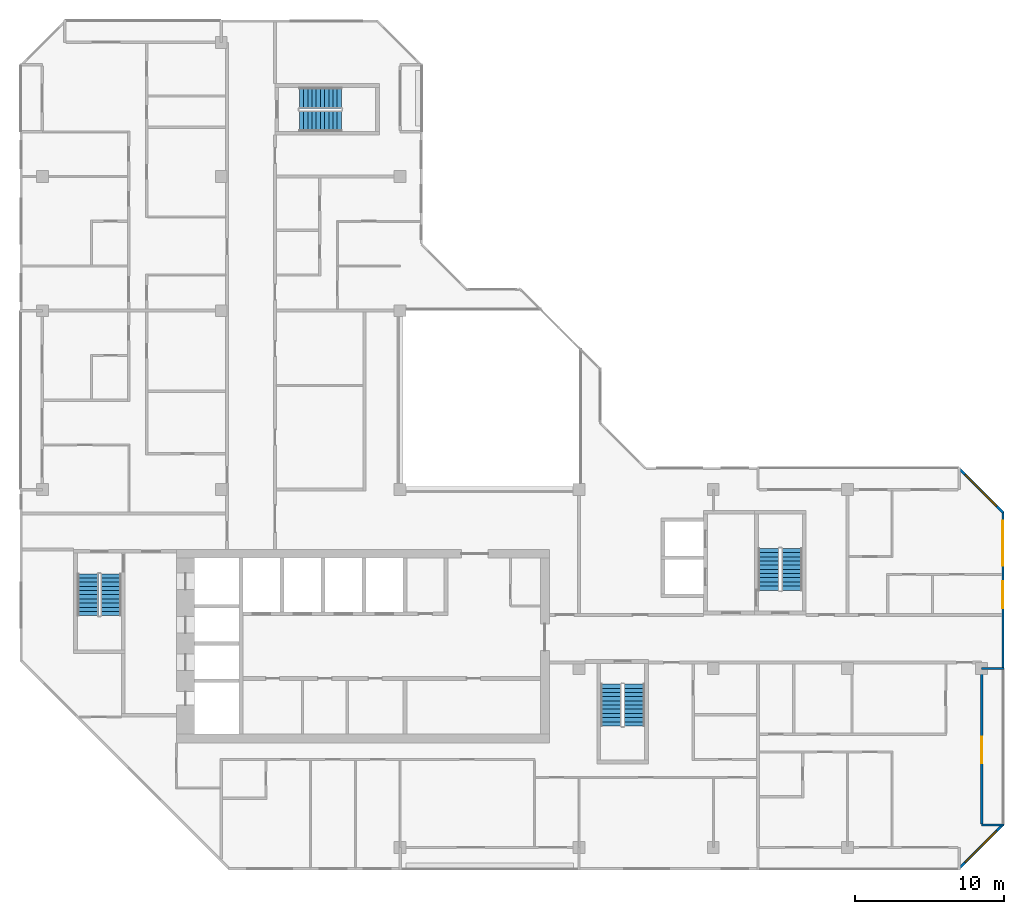
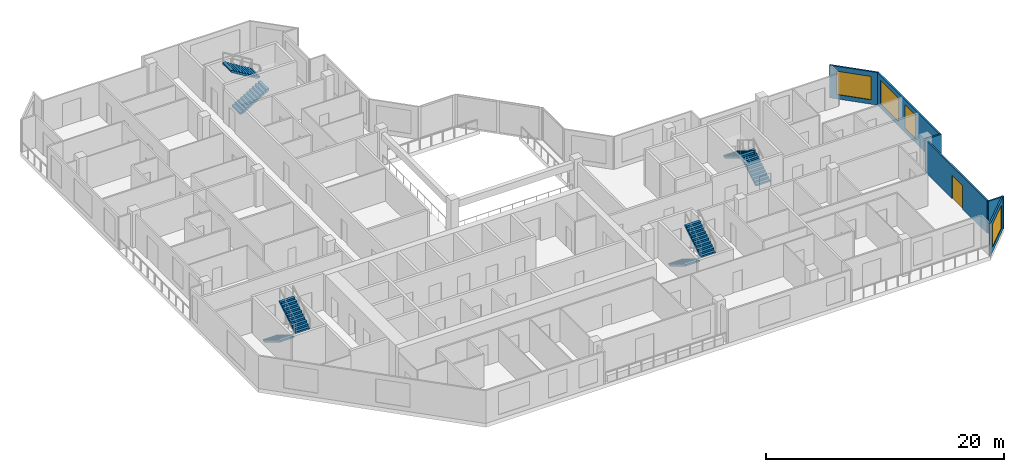
# One storey, part 11 of 13: 8 stair flights, 6 walls, 4 windows, 1 door, 5 openings, 4 elements without a shape of their own.
"""IFC4 building model written with IfcOpenShell, lengths in metres."""

import ifcopenshell
import ifcopenshell.guid

model = None  # the IFC model being written
_history = None  # IfcOwnerHistory: only IFC2X3 demands one
_inside = {}  # id of a spatial element -> (the spatial element, [elements in it])
_under = {}  # id of a project, library or spatial element -> (it, [spatial elements below it])
_declared = {}  # id of a project -> (the project, [libraries it declares])
_typed = {}  # id of a type object -> (the type object, [elements of that type])
_made_of = {}  # id of a material, layer set ... -> (it, [elements and type objects made of it])


def new_model(schema):
    """Start an empty IFC model of exactly this schema.

    Asked for "IFC4X3", IfcOpenShell would pick the latest addendum, in which some entities
    have other attributes; the version numbers below select the first issue.
    IFC2X3 requires an IfcOwnerHistory on every rooted entity: one is made here for all.
    """
    global model, _history
    if schema == "IFC4X3":
        model = ifcopenshell.file(schema_version=(4, 3, 0, 0))
    else:
        model = ifcopenshell.file(schema=schema)
    _inside.clear()
    _under.clear()
    _declared.clear()
    _typed.clear()
    _made_of.clear()
    _history = None
    if model.schema == "IFC2X3":
        org = make("IfcOrganization", Name="unknown")
        user = make(
            "IfcPersonAndOrganization",
            ThePerson=make("IfcPerson", FamilyName="unknown"),
            TheOrganization=org,
        )
        app = make(
            "IfcApplication",
            ApplicationDeveloper=org,
            Version="unknown",
            ApplicationFullName="unknown",
            ApplicationIdentifier="unknown",
        )
        _history = make(
            "IfcOwnerHistory",
            OwningUser=user,
            OwningApplication=app,
            ChangeAction="ADDED",
            CreationDate=0,
        )
    return model


def make(cls, **values):
    """One entity of the class cls with the attributes given. An attribute that is None is left unset."""
    return model.create_entity(
        cls, **{name: value for name, value in values.items() if value is not None}
    )


def rooted(cls, **values):
    """An entity with a GlobalId (a new one), such as an element, a storey or a relation."""
    return make(cls, GlobalId=ifcopenshell.guid.new(), OwnerHistory=_history, **values)


def si_unit(unit_type, name, prefix=None):
    """IfcSIUnit, for example si_unit("LENGTHUNIT", "METRE", prefix="MILLI")."""
    return make("IfcSIUnit", UnitType=unit_type, Prefix=prefix, Name=name)


def assignment(units):
    """IfcUnitAssignment: the units of a project."""
    return None if units is None else make("IfcUnitAssignment", Units=units)


def point(xyz):
    """IfcCartesianPoint."""
    return None if xyz is None else make("IfcCartesianPoint", Coordinates=xyz)


def direction(xyz):
    """IfcDirection."""
    return None if xyz is None else make("IfcDirection", DirectionRatios=xyz)


def frame(location, z_axis=None, x_axis=None):
    """IfcAxis2Placement3D, a coordinate frame: its origin and axes. An axis left out is left unset."""
    return make(
        "IfcAxis2Placement3D",
        Location=point(location),
        Axis=direction(z_axis),
        RefDirection=direction(x_axis),
    )


def frame_2d(location, x_axis=None):
    """IfcAxis2Placement2D, a coordinate frame in the plane: its origin and x axis."""
    return make(
        "IfcAxis2Placement2D", Location=point(location), RefDirection=direction(x_axis)
    )


def origin():
    """The frame at (0, 0, 0) with its axes left unset."""
    return frame((0.0, 0.0, 0.0))


def place(relative_to, where):
    """IfcLocalPlacement: puts the frame where relative to a parent placement (None: the world)."""
    return make(
        "IfcLocalPlacement", PlacementRelTo=relative_to, RelativePlacement=where
    )


def context(
    kind, dimensions, precision=None, world=None, true_north=None, identifier=None
):
    """IfcGeometricRepresentationContext, for example the 3D "Model" context."""
    return make(
        "IfcGeometricRepresentationContext",
        ContextIdentifier=identifier,
        ContextType=kind,
        CoordinateSpaceDimension=dimensions,
        Precision=precision,
        WorldCoordinateSystem=world,
        TrueNorth=true_north,
    )


def subcontext(parent, identifier, kind, view, scale=None):
    """IfcGeometricRepresentationSubContext, for example "Body" below "Model"."""
    return make(
        "IfcGeometricRepresentationSubContext",
        ContextIdentifier=identifier,
        ContextType=kind,
        ParentContext=parent,
        TargetScale=scale,
        TargetView=view,
    )


def project(units=None, contexts=None):
    """IfcProject with its units and contexts."""
    return rooted(
        "IfcProject",
        Name="project",
        RepresentationContexts=contexts,
        UnitsInContext=assignment(units),
    )


def spatial(cls, under=None, at=None, **own):
    """A site, building, storey or space (cls), placed at a placement, below another one or the project."""
    s = rooted(cls, ObjectPlacement=at, **own)
    if under is not None:
        _under.setdefault(under.id(), (under, []))[1].append(s)
    return s


def polyline(points):
    """IfcPolyline through the points."""
    return make("IfcPolyline", Points=[point(p) for p in points])


def profile(cls, at=None, kind="AREA", **sizes):
    """A parametric profile (cls). Its sizes go by their IFC names, for example OverallWidth=200.0."""
    return make(cls, ProfileType=kind, Position=at, **sizes)


def rectangle(**sizes):
    """IfcRectangleProfileDef."""
    return profile("IfcRectangleProfileDef", **sizes)


def outline(outer, holes=None, kind="AREA"):
    """IfcArbitraryClosedProfileDef: a profile drawn as a closed curve; with holes, ...WithVoids."""
    if holes is None:
        return make("IfcArbitraryClosedProfileDef", ProfileType=kind, OuterCurve=outer)
    return make(
        "IfcArbitraryProfileDefWithVoids",
        ProfileType=kind,
        OuterCurve=outer,
        InnerCurves=holes,
    )


def extrude(swept, where, along, depth):
    """IfcExtrudedAreaSolid: the profile swept, set in the frame where, extruded along a direction by depth."""
    return make(
        "IfcExtrudedAreaSolid",
        SweptArea=swept,
        Position=where,
        ExtrudedDirection=direction(along),
        Depth=depth,
    )


def shape(context_of_items, identifier, shape_type, items):
    """IfcShapeRepresentation: the items that make up one representation, for example the "Body"."""
    return make(
        "IfcShapeRepresentation",
        ContextOfItems=context_of_items,
        RepresentationIdentifier=identifier,
        RepresentationType=shape_type,
        Items=items,
    )


def material(Name=None, Category=None):
    """IfcMaterial."""
    return make("IfcMaterial", Name=Name, Category=Category)


def layer(
    of_material, thickness, ventilated=None, Name=None, Category=None, Priority=None
):
    """IfcMaterialLayer: one layer of a wall or slab, of a material (None: an air gap)."""
    return make(
        "IfcMaterialLayer",
        Material=of_material,
        LayerThickness=thickness,
        IsVentilated=ventilated,
        Name=Name,
        Category=Category,
        Priority=Priority,
    )


def layer_set(layers, Name=None):
    """IfcMaterialLayerSet."""
    return make("IfcMaterialLayerSet", MaterialLayers=layers, LayerSetName=Name)


def made_of(thing, what):
    """Note that an element or type object is made of a material, layer set ...; save() writes the relation."""
    if what is not None:
        _made_of.setdefault(what.id(), (what, []))[1].append(thing)
    return thing


def type_object(cls, material=None, **own):
    """A type object (cls), such as IfcWallType, which elements share."""
    return made_of(rooted(cls, **own), material)


def element(
    cls,
    number,
    at=None,
    inside=None,
    cuts=None,
    type_object=None,
    material=None,
    context=None,
    identifier="Body",
    shape_type=None,
    held_by="IfcProductDefinitionShape",
    body=None,
    shapes=None,
    **own,
):
    """One element of the class cls, such as IfcWall. Its Tag is "e" and its number.

    at: its placement. inside: the storey or other place that contains it. cuts: it is an
    opening in that element (IfcRelVoidsElement). A single representation is given by context,
    identifier, shape_type and body (its items); several are given by shapes. held_by: the class
    of the entity that holds the representations. save() writes the other relations.
    """
    e = rooted(cls, Tag="e%d" % number, ObjectPlacement=at, **own)
    if body is not None:
        shapes = [shape(context, identifier, shape_type, body)]
    if shapes is not None:
        e.Representation = make(held_by, Representations=shapes)
    if inside is not None:
        _inside.setdefault(inside.id(), (inside, []))[1].append(e)
    if cuts is not None:
        rooted(
            "IfcRelVoidsElement", RelatingBuildingElement=cuts, RelatedOpeningElement=e
        )
    if type_object is not None:
        _typed.setdefault(type_object.id(), (type_object, []))[1].append(e)
    return made_of(e, material)


def fill(opening, filler):
    """IfcRelFillsElement: the door or window that sits in an opening."""
    return rooted(
        "IfcRelFillsElement",
        RelatingOpeningElement=opening,
        RelatedBuildingElement=filler,
    )


def aggregate(whole, parts):
    """IfcRelAggregates: a whole, such as a stair, and the parts it consists of."""
    return rooted("IfcRelAggregates", RelatingObject=whole, RelatedObjects=parts)


def save(model, path):
    """Write the relations noted so far, then the file.

    IfcRelAggregates (storeys below a building ...), IfcRelContainedInSpatialStructure (elements
    in a storey), IfcRelDefinesByType, IfcRelAssociatesMaterial and IfcRelDeclares: one each for
    every whole, place, type object, material and project.
    """
    for whole, parts in _under.values():
        aggregate(whole, parts)
    for where, things in _inside.values():
        rooted(
            "IfcRelContainedInSpatialStructure",
            RelatedElements=things,
            RelatingStructure=where,
        )
    for kind, things in _typed.values():
        rooted("IfcRelDefinesByType", RelatedObjects=things, RelatingType=kind)
    for what, things in _made_of.values():
        rooted("IfcRelAssociatesMaterial", RelatedObjects=things, RelatingMaterial=what)
    for by, libraries in _declared.values():
        rooted("IfcRelDeclares", RelatingContext=by, RelatedDefinitions=libraries)
    model.write(path)


model = new_model("IFC4")

# Units and contexts
model_context = context("Model", 3, precision=1e-05, world=origin(), true_north=direction((0.0, 1.0)))
body_context = subcontext(model_context, "Body", "Model", "MODEL_VIEW")
ifc_project = project(units=[si_unit("LENGTHUNIT", "METRE"), si_unit("AREAUNIT", "SQUARE_METRE"), si_unit("VOLUMEUNIT", "CUBIC_METRE"), si_unit("PLANEANGLEUNIT", "RADIAN"), si_unit("MASSUNIT", "GRAM", prefix="KILO")], contexts=[model_context])

# Site, building, storey
site_placement = place(None, origin())
site = spatial("IfcSite", under=ifc_project, at=site_placement, CompositionType="ELEMENT")
building_placement = place(site_placement, origin())
building = spatial("IfcBuilding", under=site, at=building_placement, Name="Chenar Terraces", CompositionType="ELEMENT")
storey_placement = place(building_placement, frame((0.0, 0.0, 307.14990234375)))
storey = spatial("IfcBuildingStorey", under=building, at=storey_placement, Name="L72", CompositionType="ELEMENT", Elevation=307.14990234375)

# Wall, openings, windows
ifc_material_1 = material(Name="Aluminium framed glazing", Category="aluminium")
ifc_layer_1 = layer(ifc_material_1, 0.14990234375)
ifc_layer_set_1 = layer_set([ifc_layer_1], Name="Aluminium framed glazing")
wall_type_1 = type_object("IfcWallType", Name="Glazed flush facade wall 150", PredefinedType="SOLIDWALL", material=ifc_layer_set_1)
wall_1_placement = place(storey_placement, frame((64.425048828125, 12.074951171875, 0.0), z_axis=(0.0, 0.0, 1.0), x_axis=(0.0, 1.0, 0.0)))
wall_1 = element("IfcWall", 1, at=wall_1_placement, inside=storey, type_object=wall_type_1, Name="Glazed flush facade wall", PredefinedType="SOLIDWALL", context=body_context, shape_type="SweptSolid", body=[
    extrude(rectangle(XDim=10.425048828125, YDim=0.14990234375, at=frame_2d((5.21240234375, 0.0))), origin(), (0.0, 0.0, 1.0), 3.35009765625),
])
opening_1_placement = place(wall_1_placement, frame((3.97509765625, 0.0, 0.449951171875)))
opening_1 = element("IfcOpeningElement", 2, at=opening_1_placement, cuts=wall_1, Name="Opening W180x240", PredefinedType="OPENING", context=body_context, shape_type="SweptSolid", body=[
    extrude(rectangle(XDim=1.800048828125, YDim=2.39990234375, at=frame_2d((0.89990234375, 1.199951171875))), frame((0.0, 0.0849609375, 0.0), z_axis=(0.0, -1.0, 0.0), x_axis=(1.0, 0.0, 0.0)), (0.0, 0.0, 1.0), 0.169921875),
])
opening_2_placement = place(wall_1_placement, frame((6.824951171875, 0.0, 0.449951171875)))
opening_2 = element("IfcOpeningElement", 3, at=opening_2_placement, cuts=wall_1, Name="Opening W300x240", PredefinedType="OPENING", context=body_context, shape_type="SweptSolid", body=[
    extrude(rectangle(XDim=3.0, YDim=2.39990234375, at=frame_2d((1.5, 1.199951171875))), frame((0.0, 0.0849609375, 0.0), z_axis=(0.0, -1.0, 0.0), x_axis=(1.0, 0.0, 0.0)), (0.0, 0.0, 1.0), 0.169921875),
])
ifc_material_2 = material(Name="Low emissivity double glazing, aluminium frame", Category="aluminium")
window_type_1 = type_object("IfcWindowType", Name="Fixed light 1800 x 2400", PartitioningType="SINGLE_PANEL", PredefinedType="WINDOW", material=ifc_material_2)
window_1_placement = place(opening_1_placement, origin())
window_1 = element("IfcWindow", 4, at=window_1_placement, inside=storey, type_object=window_type_1, Name="Window", OverallHeight=2.39990234375, OverallWidth=1.800048828125, PartitioningType="SINGLE_PANEL", PredefinedType="WINDOW", context=body_context, shape_type="SweptSolid", body=[
    extrude(rectangle(XDim=1.800048828125, YDim=2.39990234375, at=frame_2d((0.89990234375, 1.199951171875))), frame((0.0, 0.030029296875, 0.0), z_axis=(0.0, -1.0, 0.0), x_axis=(1.0, 0.0, 0.0)), (0.0, 0.0, 1.0), 0.06005859375),
])
fill(opening_1, window_1)
ifc_material_3 = material(Name="Low emissivity double glazing, aluminium frame", Category="aluminium")
window_type_2 = type_object("IfcWindowType", Name="Fixed light 3000 x 2400", PartitioningType="SINGLE_PANEL", PredefinedType="WINDOW", material=ifc_material_3)
window_2_placement = place(opening_2_placement, origin())
window_2 = element("IfcWindow", 5, at=window_2_placement, inside=storey, type_object=window_type_2, Name="Window", OverallHeight=2.39990234375, OverallWidth=3.0, PartitioningType="SINGLE_PANEL", PredefinedType="WINDOW", context=body_context, shape_type="SweptSolid", body=[
    extrude(rectangle(XDim=3.0, YDim=2.39990234375, at=frame_2d((1.5, 1.199951171875))), frame((0.0, 0.030029296875, 0.0), z_axis=(0.0, -1.0, 0.0), x_axis=(1.0, 0.0, 0.0)), (0.0, 0.0, 1.0), 0.06005859375),
])
fill(opening_2, window_2)

# Wall, opening, door
ifc_material_4 = material(Name="Aluminium framed glazing", Category="aluminium")
ifc_layer_2 = layer(ifc_material_4, 0.14990234375)
ifc_layer_set_2 = layer_set([ifc_layer_2], Name="Aluminium framed glazing")
wall_type_2 = type_object("IfcWallType", Name="Glazed loggia back wall 150", PredefinedType="SOLIDWALL", material=ifc_layer_set_2)
wall_2_placement = place(storey_placement, frame((63.0, 1.574951171875, 0.0), z_axis=(0.0, 0.0, 1.0), x_axis=(0.0, 1.0, 0.0)))
wall_2 = element("IfcWall", 6, at=wall_2_placement, inside=storey, type_object=wall_type_2, Name="Glazed loggia back wall", PredefinedType="SOLIDWALL", context=body_context, shape_type="SweptSolid", body=[
    extrude(rectangle(XDim=10.35009765625, YDim=0.14990234375, at=frame_2d((5.175048828125, 0.0))), origin(), (0.0, 0.0, 1.0), 3.35009765625),
])
opening_3_placement = place(wall_2_placement, frame((4.0625, 0.0, 0.0)))
opening_3 = element("IfcOpeningElement", 7, at=opening_3_placement, cuts=wall_2, Name="Opening DL72-G7", PredefinedType="OPENING", context=body_context, shape_type="SweptSolid", body=[
    extrude(rectangle(XDim=1.800048828125, YDim=2.39990234375, at=frame_2d((0.89990234375, 1.199951171875))), frame((0.0, 0.0849609375, 0.0), z_axis=(0.0, -1.0, 0.0), x_axis=(1.0, 0.0, 0.0)), (0.0, 0.0, 1.0), 0.169921875),
])
ifc_material_5 = material(Name="Low emissivity double glazing, aluminium frame", Category="aluminium")
door_type = type_object("IfcDoorType", Name="Loggia glazed double door 1800 x 2400", OperationType="DOUBLE_DOOR_SINGLE_SWING", PredefinedType="DOOR", material=ifc_material_5)
door_placement = place(opening_3_placement, frame((1.800048828125, 0.0, 0.0), z_axis=(0.0, 0.0, 1.0), x_axis=(-1.0, 0.0, 0.0)))
door = element("IfcDoor", 8, at=door_placement, inside=storey, type_object=door_type, Name="Loggia glazed door", OperationType="DOUBLE_DOOR_SINGLE_SWING", OverallHeight=2.39990234375, OverallWidth=1.800048828125, PredefinedType="DOOR", context=body_context, shape_type="SweptSolid", body=[
    extrude(rectangle(XDim=1.800048828125, YDim=2.39990234375, at=frame_2d((0.89990234375, 1.199951171875))), frame((0.0, 0.02490234375, 0.0), z_axis=(0.0, -1.0, 0.0), x_axis=(1.0, 0.0, 0.0)), (0.0, 0.0, 1.0), 0.050048828125),
])
fill(opening_3, door)

# Walls
ifc_material_6 = material(Name="Terracotta cladding on insulated backing", Category="masonry")
ifc_layer_3 = layer(ifc_material_6, 0.14990234375)
ifc_layer_set_3 = layer_set([ifc_layer_3], Name="Terracotta cladding on insulated backing")
wall_type_3 = type_object("IfcWallType", Name="Loggia return wall 150", PredefinedType="SOLIDWALL", material=ifc_layer_set_3)
for number, where, z_axis, x_axis, name in (
    (9, (64.5, 1.5, 0.0), (0.0, 0.0, 1.0), (-1.0, 0.0, 0.0), "Loggia return wall"),
    (10, (64.5, 12.0, 0.0), (0.0, 0.0, 1.0), (-1.0, 0.0, 0.0), "Loggia return wall"),
):
    element("IfcWall", number, at=place(storey_placement, frame(where, z_axis=z_axis, x_axis=x_axis)), inside=storey, type_object=wall_type_3, Name=name, PredefinedType="SOLIDWALL", context=body_context, shape_type="SweptSolid", body=[
        extrude(rectangle(XDim=1.5, YDim=0.14990234375, at=frame_2d((0.75, 0.0))), origin(), (0.0, 0.0, 1.0), 3.35009765625),
    ])

# Wall, opening, window
ifc_material_7 = material(Name="Terracotta cladding on insulated backing", Category="masonry")
ifc_layer_4 = layer(ifc_material_7, 0.14990234375)
ifc_layer_set_4 = layer_set([ifc_layer_4], Name="Terracotta cladding on insulated backing")
wall_type_4 = type_object("IfcWallType", Name="Terracotta rainscreen wall 150", PredefinedType="SOLIDWALL", material=ifc_layer_set_4)
wall_3_placement = place(storey_placement, frame((61.447021484375, -1.447021484375, 0.0), z_axis=(0.0, 0.0, 1.0), x_axis=(0.707106781187, 0.707106781187, 0.0)))
wall_3 = element("IfcWall", 11, at=wall_3_placement, inside=storey, type_object=wall_type_4, Name="Terracotta rainscreen wall", PredefinedType="SOLIDWALL", context=body_context, shape_type="SweptSolid", body=[
    extrude(rectangle(XDim=4.24267578125, YDim=0.14990234375, at=frame_2d((2.121337890625, 0.0))), origin(), (0.0, 0.0, 1.0), 3.35009765625),
])
opening_4_placement = place(wall_3_placement, frame((0.621337890625, 0.0, 0.449951171875)))
opening_4 = element("IfcOpeningElement", 12, at=opening_4_placement, cuts=wall_3, Name="Opening W300x240", PredefinedType="OPENING", context=body_context, shape_type="SweptSolid", body=[
    extrude(rectangle(XDim=3.0, YDim=2.39990234375, at=frame_2d((1.5, 1.199951171875))), frame((0.0, 0.0849609375, 0.0), z_axis=(0.0, -1.0, 0.0), x_axis=(1.0, 0.0, 0.0)), (0.0, 0.0, 1.0), 0.169921875),
])
window_3_placement = place(opening_4_placement, origin())
window_3 = element("IfcWindow", 13, at=window_3_placement, inside=storey, type_object=window_type_2, Name="Window", OverallHeight=2.39990234375, OverallWidth=3.0, PartitioningType="SINGLE_PANEL", PredefinedType="WINDOW", context=body_context, shape_type="SweptSolid", body=[
    extrude(rectangle(XDim=3.0, YDim=2.39990234375, at=frame_2d((1.5, 1.199951171875))), frame((0.0, 0.030029296875, 0.0), z_axis=(0.0, -1.0, 0.0), x_axis=(1.0, 0.0, 0.0)), (0.0, 0.0, 1.0), 0.06005859375),
])
fill(opening_4, window_3)

wall_4_placement = place(storey_placement, frame((64.447021484375, 22.447021484375, 0.0), z_axis=(0.0, 0.0, 1.0), x_axis=(-0.707106781187, 0.707106781187, 0.0)))
wall_4 = element("IfcWall", 14, at=wall_4_placement, inside=storey, type_object=wall_type_4, Name="Terracotta rainscreen wall", PredefinedType="SOLIDWALL", context=body_context, shape_type="SweptSolid", body=[
    extrude(rectangle(XDim=4.24267578125, YDim=0.14990234375, at=frame_2d((2.121337890625, 0.0))), origin(), (0.0, 0.0, 1.0), 3.35009765625),
])
opening_5_placement = place(wall_4_placement, frame((0.621337890625, 0.0, 0.449951171875)))
opening_5 = element("IfcOpeningElement", 15, at=opening_5_placement, cuts=wall_4, Name="Opening W300x240", PredefinedType="OPENING", context=body_context, shape_type="SweptSolid", body=[
    extrude(rectangle(XDim=3.0, YDim=2.39990234375, at=frame_2d((1.5, 1.199951171875))), frame((0.0, 0.0849609375, 0.0), z_axis=(0.0, -1.0, 0.0), x_axis=(1.0, 0.0, 0.0)), (0.0, 0.0, 1.0), 0.169921875),
])
window_4_placement = place(opening_5_placement, origin())
window_4 = element("IfcWindow", 16, at=window_4_placement, inside=storey, type_object=window_type_2, Name="Window", OverallHeight=2.39990234375, OverallWidth=3.0, PartitioningType="SINGLE_PANEL", PredefinedType="WINDOW", context=body_context, shape_type="SweptSolid", body=[
    extrude(rectangle(XDim=3.0, YDim=2.39990234375, at=frame_2d((1.5, 1.199951171875))), frame((0.0, 0.030029296875, 0.0), z_axis=(0.0, -1.0, 0.0), x_axis=(1.0, 0.0, 0.0)), (0.0, 0.0, 1.0), 0.06005859375),
])
fill(opening_5, window_4)

# Stair, stair flights
ifc_material_8 = material(Name="Reinforced concrete C40/50", Category="concrete")
stair_type = type_object("IfcStairType", Name="Core stair 1400 half-turn", PredefinedType="HALF_TURN_STAIR", material=ifc_material_8)
placement = place(storey_placement, origin())
stair_1 = element("IfcStair", 17, at=placement, inside=storey, type_object=stair_type, Name="L72 Stair 1", PredefinedType="HALF_TURN_STAIR")
ifc_material_9 = material(Name="Reinforced concrete C40/50", Category="concrete")
stair_flight_type = type_object("IfcStairFlightType", Name="Core stair flight 1400", PredefinedType="STRAIGHT", material=ifc_material_9)
stair_flight_1_placement = place(storey_placement, frame((3.050048828125, 18.35009765625, 0.0), z_axis=(0.0, 0.0, 1.0), x_axis=(0.0, -1.0, 0.0)))
stair_flight_1 = element("IfcStairFlight", 18, at=stair_flight_1_placement, type_object=stair_flight_type, Name="ST1 flight 1", NumberOfRisers=11, NumberOfTreads=10, PredefinedType="STRAIGHT", RiserHeight=0.170454545, TreadLength=0.28, context=body_context, shape_type="SweptSolid", body=[
    extrude(outline(polyline([(-0.0029296875, 0.0), (-0.0029296875, 0.17041015625), (0.0, 0.17041015625), (0.280029296875, 0.17041015625), (0.280029296875, 0.3408203125), (0.56005859375, 0.3408203125), (0.56005859375, 0.511474609375), (0.840087890625, 0.511474609375), (0.840087890625, 0.681884765625), (1.1201171875, 0.681884765625), (1.1201171875, 0.852294921875), (1.39990234375, 0.852294921875), (1.39990234375, 1.022705078125), (1.679931640625, 1.022705078125), (1.679931640625, 1.193115234375), (1.9599609375, 1.193115234375), (1.9599609375, 1.363525390625), (2.239990234375, 1.363525390625), (2.239990234375, 1.5341796875), (2.52001953125, 1.5341796875), (2.52001953125, 1.70458984375), (2.800048828125, 1.70458984375), (2.802978515625, 1.70458984375), (2.802978515625, 1.529052734375), (2.800048828125, 1.529052734375), (0.288330078125, 0.0), (-0.0029296875, 0.0)])), frame((0.0, 0.699951171875, 0.0), z_axis=(0.0, -1.0, 0.0), x_axis=(1.0, 0.0, 0.0)), (0.0, 0.0, 1.0), 1.39990234375),
])
stair_flight_2_placement = place(storey_placement, frame((4.60009765625, 15.550048828125, 1.875), z_axis=(0.0, 0.0, 1.0), x_axis=(0.0, 1.0, 0.0)))
stair_flight_2 = element("IfcStairFlight", 19, at=stair_flight_2_placement, type_object=stair_flight_type, Name="ST1 flight 2", NumberOfRisers=11, NumberOfTreads=10, PredefinedType="STRAIGHT", RiserHeight=0.170454545, TreadLength=0.28, context=body_context, shape_type="SweptSolid", body=[
    extrude(outline(polyline([(-0.0029296875, 0.0), (-0.0029296875, 0.17041015625), (0.0, 0.17041015625), (0.280029296875, 0.17041015625), (0.280029296875, 0.3408203125), (0.56005859375, 0.3408203125), (0.56005859375, 0.511474609375), (0.840087890625, 0.511474609375), (0.840087890625, 0.681884765625), (1.1201171875, 0.681884765625), (1.1201171875, 0.852294921875), (1.39990234375, 0.852294921875), (1.39990234375, 1.022705078125), (1.679931640625, 1.022705078125), (1.679931640625, 1.193115234375), (1.9599609375, 1.193115234375), (1.9599609375, 1.363525390625), (2.239990234375, 1.363525390625), (2.239990234375, 1.5341796875), (2.52001953125, 1.5341796875), (2.52001953125, 1.70458984375), (2.800048828125, 1.70458984375), (2.802978515625, 1.70458984375), (2.802978515625, 1.529052734375), (2.800048828125, 1.529052734375), (0.288330078125, 0.0), (-0.0029296875, 0.0)])), frame((0.0, 0.699951171875, 0.0), z_axis=(0.0, -1.0, 0.0), x_axis=(1.0, 0.0, 0.0)), (0.0, 0.0, 1.0), 1.39990234375),
])
aggregate(stair_1, [stair_flight_1, stair_flight_2])

stair_2 = element("IfcStair", 20, at=placement, inside=storey, type_object=stair_type, Name="L72 Stair 2", PredefinedType="HALF_TURN_STAIR")
stair_flight_3_placement = place(storey_placement, frame((38.14990234375, 10.949951171875, 0.0), z_axis=(0.0, 0.0, 1.0), x_axis=(0.0, -1.0, 0.0)))
stair_flight_3 = element("IfcStairFlight", 21, at=stair_flight_3_placement, type_object=stair_flight_type, Name="ST2 flight 1", NumberOfRisers=11, NumberOfTreads=10, PredefinedType="STRAIGHT", RiserHeight=0.170454545, TreadLength=0.28, context=body_context, shape_type="SweptSolid", body=[
    extrude(outline(polyline([(-0.0029296875, 0.0), (-0.0029296875, 0.17041015625), (0.0, 0.17041015625), (0.280029296875, 0.17041015625), (0.280029296875, 0.3408203125), (0.56005859375, 0.3408203125), (0.56005859375, 0.511474609375), (0.840087890625, 0.511474609375), (0.840087890625, 0.681884765625), (1.1201171875, 0.681884765625), (1.1201171875, 0.852294921875), (1.39990234375, 0.852294921875), (1.39990234375, 1.022705078125), (1.679931640625, 1.022705078125), (1.679931640625, 1.193115234375), (1.9599609375, 1.193115234375), (1.9599609375, 1.363525390625), (2.239990234375, 1.363525390625), (2.239990234375, 1.5341796875), (2.52001953125, 1.5341796875), (2.52001953125, 1.70458984375), (2.800048828125, 1.70458984375), (2.802978515625, 1.70458984375), (2.802978515625, 1.529052734375), (2.800048828125, 1.529052734375), (0.288330078125, 0.0), (-0.0029296875, 0.0)])), frame((0.0, 0.699951171875, 0.0), z_axis=(0.0, -1.0, 0.0), x_axis=(1.0, 0.0, 0.0)), (0.0, 0.0, 1.0), 1.39990234375),
])
stair_flight_4_placement = place(storey_placement, frame((39.699951171875, 8.14990234375, 1.875), z_axis=(0.0, 0.0, 1.0), x_axis=(0.0, 1.0, 0.0)))
stair_flight_4 = element("IfcStairFlight", 22, at=stair_flight_4_placement, type_object=stair_flight_type, Name="ST2 flight 2", NumberOfRisers=11, NumberOfTreads=10, PredefinedType="STRAIGHT", RiserHeight=0.170454545, TreadLength=0.28, context=body_context, shape_type="SweptSolid", body=[
    extrude(outline(polyline([(-0.0029296875, 0.0), (-0.0029296875, 0.17041015625), (0.0, 0.17041015625), (0.280029296875, 0.17041015625), (0.280029296875, 0.3408203125), (0.56005859375, 0.3408203125), (0.56005859375, 0.511474609375), (0.840087890625, 0.511474609375), (0.840087890625, 0.681884765625), (1.1201171875, 0.681884765625), (1.1201171875, 0.852294921875), (1.39990234375, 0.852294921875), (1.39990234375, 1.022705078125), (1.679931640625, 1.022705078125), (1.679931640625, 1.193115234375), (1.9599609375, 1.193115234375), (1.9599609375, 1.363525390625), (2.239990234375, 1.363525390625), (2.239990234375, 1.5341796875), (2.52001953125, 1.5341796875), (2.52001953125, 1.70458984375), (2.800048828125, 1.70458984375), (2.802978515625, 1.70458984375), (2.802978515625, 1.529052734375), (2.800048828125, 1.529052734375), (0.288330078125, 0.0), (-0.0029296875, 0.0)])), frame((0.0, 0.699951171875, 0.0), z_axis=(0.0, -1.0, 0.0), x_axis=(1.0, 0.0, 0.0)), (0.0, 0.0, 1.0), 1.39990234375),
])
aggregate(stair_2, [stair_flight_3, stair_flight_4])

stair_3 = element("IfcStair", 23, at=placement, inside=storey, type_object=stair_type, Name="L72 Stair 3", PredefinedType="HALF_TURN_STAIR")
stair_flight_5_placement = place(storey_placement, frame((50.27490234375, 17.25, 0.0), z_axis=(0.0, 0.0, 1.0), x_axis=(0.0, 1.0, 0.0)))
stair_flight_5 = element("IfcStairFlight", 24, at=stair_flight_5_placement, type_object=stair_flight_type, Name="ST3 flight 1", NumberOfRisers=11, NumberOfTreads=10, PredefinedType="STRAIGHT", RiserHeight=0.170454545, TreadLength=0.28, context=body_context, shape_type="SweptSolid", body=[
    extrude(outline(polyline([(-0.0029296875, 0.0), (-0.0029296875, 0.17041015625), (0.0, 0.17041015625), (0.280029296875, 0.17041015625), (0.280029296875, 0.3408203125), (0.56005859375, 0.3408203125), (0.56005859375, 0.511474609375), (0.840087890625, 0.511474609375), (0.840087890625, 0.681884765625), (1.1201171875, 0.681884765625), (1.1201171875, 0.852294921875), (1.39990234375, 0.852294921875), (1.39990234375, 1.022705078125), (1.679931640625, 1.022705078125), (1.679931640625, 1.193115234375), (1.9599609375, 1.193115234375), (1.9599609375, 1.363525390625), (2.239990234375, 1.363525390625), (2.239990234375, 1.5341796875), (2.52001953125, 1.5341796875), (2.52001953125, 1.70458984375), (2.800048828125, 1.70458984375), (2.802978515625, 1.70458984375), (2.802978515625, 1.529052734375), (2.800048828125, 1.529052734375), (0.288330078125, 0.0), (-0.0029296875, 0.0)])), frame((0.0, 0.699951171875, 0.0), z_axis=(0.0, -1.0, 0.0), x_axis=(1.0, 0.0, 0.0)), (0.0, 0.0, 1.0), 1.39990234375),
])
stair_flight_6_placement = place(storey_placement, frame((48.72509765625, 20.050048828125, 1.875), z_axis=(0.0, 0.0, 1.0), x_axis=(0.0, -1.0, 0.0)))
stair_flight_6 = element("IfcStairFlight", 25, at=stair_flight_6_placement, type_object=stair_flight_type, Name="ST3 flight 2", NumberOfRisers=11, NumberOfTreads=10, PredefinedType="STRAIGHT", RiserHeight=0.170454545, TreadLength=0.28, context=body_context, shape_type="SweptSolid", body=[
    extrude(outline(polyline([(-0.0029296875, 0.0), (-0.0029296875, 0.17041015625), (0.0, 0.17041015625), (0.280029296875, 0.17041015625), (0.280029296875, 0.3408203125), (0.56005859375, 0.3408203125), (0.56005859375, 0.511474609375), (0.840087890625, 0.511474609375), (0.840087890625, 0.681884765625), (1.1201171875, 0.681884765625), (1.1201171875, 0.852294921875), (1.39990234375, 0.852294921875), (1.39990234375, 1.022705078125), (1.679931640625, 1.022705078125), (1.679931640625, 1.193115234375), (1.9599609375, 1.193115234375), (1.9599609375, 1.363525390625), (2.239990234375, 1.363525390625), (2.239990234375, 1.5341796875), (2.52001953125, 1.5341796875), (2.52001953125, 1.70458984375), (2.800048828125, 1.70458984375), (2.802978515625, 1.70458984375), (2.802978515625, 1.529052734375), (2.800048828125, 1.529052734375), (0.288330078125, 0.0), (-0.0029296875, 0.0)])), frame((0.0, 0.699951171875, 0.0), z_axis=(0.0, -1.0, 0.0), x_axis=(1.0, 0.0, 0.0)), (0.0, 0.0, 1.0), 1.39990234375),
])
aggregate(stair_3, [stair_flight_5, stair_flight_6])

stair_4 = element("IfcStair", 26, at=placement, inside=storey, type_object=stair_type, Name="L72 Stair 4", PredefinedType="HALF_TURN_STAIR")
stair_flight_7_placement = place(storey_placement, frame((17.25, 48.72509765625, 0.0), z_axis=(0.0, 0.0, 1.0), x_axis=(1.0, 0.0, 0.0)))
stair_flight_7 = element("IfcStairFlight", 27, at=stair_flight_7_placement, type_object=stair_flight_type, Name="ST4 flight 1", NumberOfRisers=11, NumberOfTreads=10, PredefinedType="STRAIGHT", RiserHeight=0.170454545, TreadLength=0.28, context=body_context, shape_type="SweptSolid", body=[
    extrude(outline(polyline([(-0.0029296875, 0.0), (-0.0029296875, 0.17041015625), (0.0, 0.17041015625), (0.280029296875, 0.17041015625), (0.280029296875, 0.3408203125), (0.56005859375, 0.3408203125), (0.56005859375, 0.511474609375), (0.840087890625, 0.511474609375), (0.840087890625, 0.681884765625), (1.1201171875, 0.681884765625), (1.1201171875, 0.852294921875), (1.39990234375, 0.852294921875), (1.39990234375, 1.022705078125), (1.679931640625, 1.022705078125), (1.679931640625, 1.193115234375), (1.9599609375, 1.193115234375), (1.9599609375, 1.363525390625), (2.239990234375, 1.363525390625), (2.239990234375, 1.5341796875), (2.52001953125, 1.5341796875), (2.52001953125, 1.70458984375), (2.800048828125, 1.70458984375), (2.802978515625, 1.70458984375), (2.802978515625, 1.529052734375), (2.800048828125, 1.529052734375), (0.288330078125, 0.0), (-0.0029296875, 0.0)])), frame((0.0, 0.699951171875, 0.0), z_axis=(0.0, -1.0, 0.0), x_axis=(1.0, 0.0, 0.0)), (0.0, 0.0, 1.0), 1.39990234375),
])
stair_flight_8_placement = place(storey_placement, frame((20.050048828125, 50.27490234375, 1.875), z_axis=(0.0, 0.0, 1.0), x_axis=(-1.0, 0.0, 0.0)))
stair_flight_8 = element("IfcStairFlight", 28, at=stair_flight_8_placement, type_object=stair_flight_type, Name="ST4 flight 2", NumberOfRisers=11, NumberOfTreads=10, PredefinedType="STRAIGHT", RiserHeight=0.170454545, TreadLength=0.28, context=body_context, shape_type="SweptSolid", body=[
    extrude(outline(polyline([(-0.0029296875, 0.0), (-0.0029296875, 0.17041015625), (0.0, 0.17041015625), (0.280029296875, 0.17041015625), (0.280029296875, 0.3408203125), (0.56005859375, 0.3408203125), (0.56005859375, 0.511474609375), (0.840087890625, 0.511474609375), (0.840087890625, 0.681884765625), (1.1201171875, 0.681884765625), (1.1201171875, 0.852294921875), (1.39990234375, 0.852294921875), (1.39990234375, 1.022705078125), (1.679931640625, 1.022705078125), (1.679931640625, 1.193115234375), (1.9599609375, 1.193115234375), (1.9599609375, 1.363525390625), (2.239990234375, 1.363525390625), (2.239990234375, 1.5341796875), (2.52001953125, 1.5341796875), (2.52001953125, 1.70458984375), (2.800048828125, 1.70458984375), (2.802978515625, 1.70458984375), (2.802978515625, 1.529052734375), (2.800048828125, 1.529052734375), (0.288330078125, 0.0), (-0.0029296875, 0.0)])), frame((0.0, 0.699951171875, 0.0), z_axis=(0.0, -1.0, 0.0), x_axis=(1.0, 0.0, 0.0)), (0.0, 0.0, 1.0), 1.39990234375),
])
aggregate(stair_4, [stair_flight_7, stair_flight_8])

save(model, "model.ifc")
